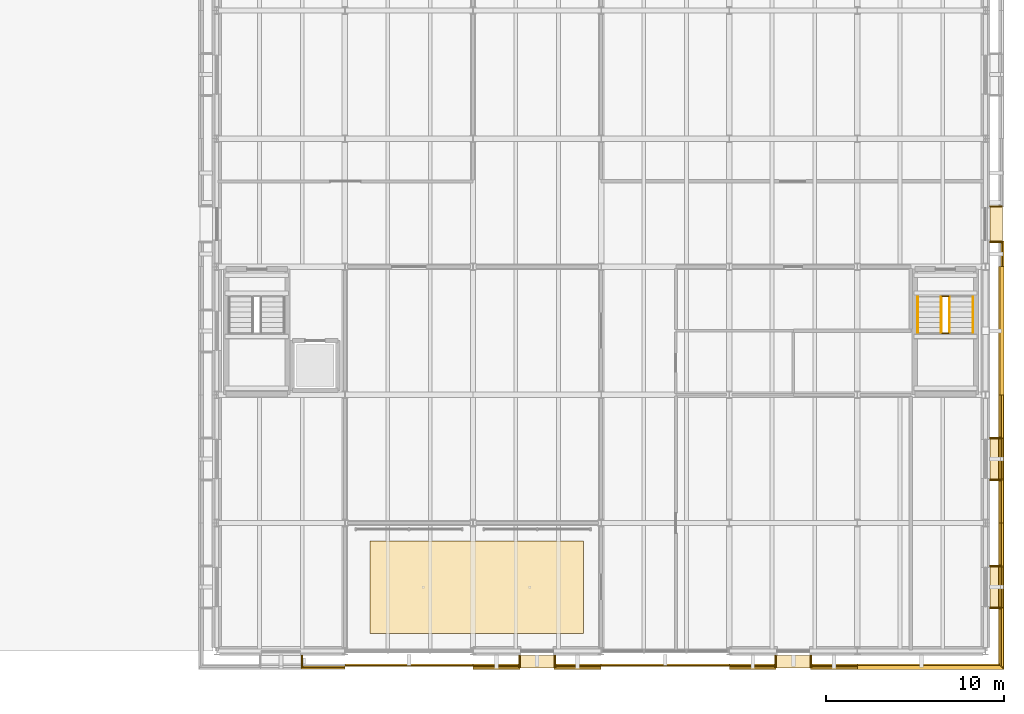
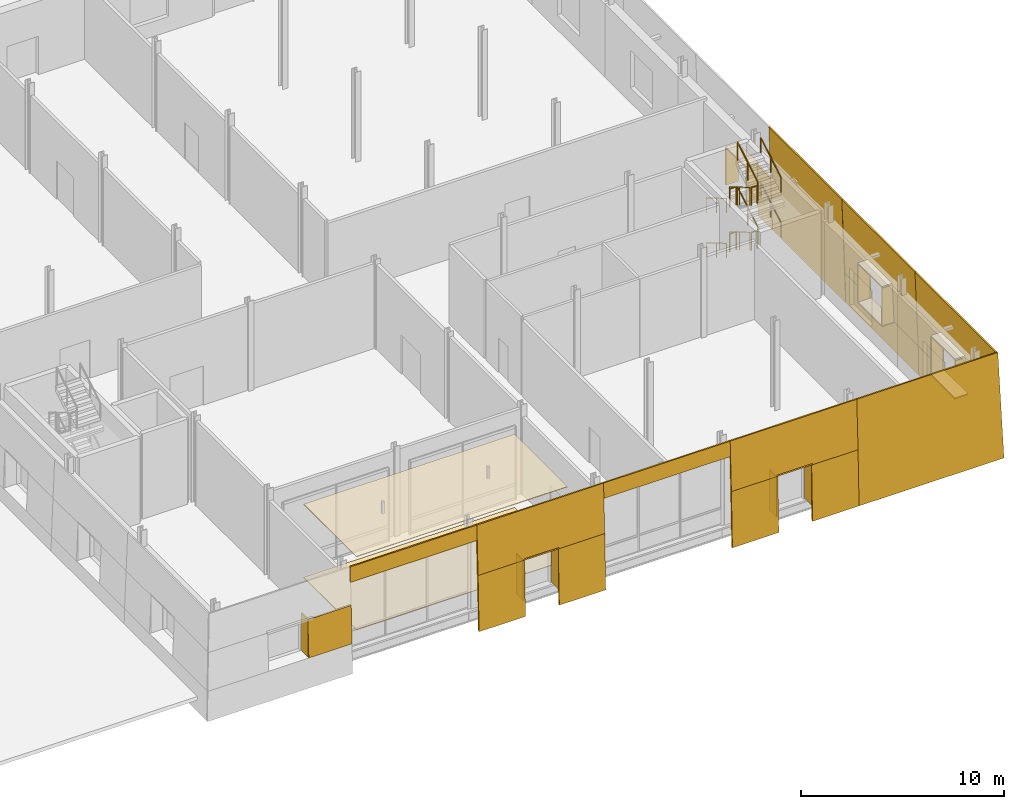
# One storey, part 116 of 120: 40 coverings, 12 railings.
"""IFC4 building model written with IfcOpenShell, lengths in metres."""

from ifc_helpers import new_model, si_unit, direction, frame, origin, origin_2d, place, context, subcontext, project, spatial, polyline, circle, outline, extrude, material, layer, layer_set, type_object, element, save


model = new_model("IFC4")

# Units and contexts
model_context = context("Model", 3, precision=1e-05, world=origin(), true_north=direction((0.0, 1.0)))
body_context = subcontext(model_context, "Body", "Model", "MODEL_VIEW")
ifc_project = project(units=[si_unit("LENGTHUNIT", "METRE"), si_unit("AREAUNIT", "SQUARE_METRE"), si_unit("VOLUMEUNIT", "CUBIC_METRE"), si_unit("PLANEANGLEUNIT", "RADIAN"), si_unit("MASSUNIT", "GRAM", prefix="KILO")], contexts=[model_context])

# Site, building, storey
site_placement = place(None, origin())
site = spatial("IfcSite", under=ifc_project, at=site_placement, CompositionType="ELEMENT")
building_placement = place(site_placement, origin())
building = spatial("IfcBuilding", under=site, at=building_placement, Name="Narikvali Park Central Library", CompositionType="ELEMENT")
storey_placement = place(building_placement, origin())
storey = spatial("IfcBuildingStorey", under=building, at=storey_placement, Name="L00", CompositionType="ELEMENT", Elevation=0.0)

# Coverings
ifc_material_1 = material(Name="Acoustic Micro-Perforated Caucasian Oak")
ifc_layer_1 = layer(ifc_material_1, 0.044921875, Name="Acoustic Micro-Perforated Caucasian Oak")
ifc_layer_set_1 = layer_set([ifc_layer_1], Name="Acoustic Micro-Perforated Caucasian Oak")
covering_type_1 = type_object("IfcCoveringType", Name="Acoustic Perforated Timber Suspended Ceiling", PredefinedType="CEILING", material=ifc_layer_set_1)
covering_1_placement = place(storey_placement, frame((0.0, 0.0, 4.39501953125)))
element("IfcCovering", 1, at=covering_1_placement, inside=storey, type_object=covering_type_1, Name="V6 L00 Acoustic Suspended Ceiling 08", PredefinedType="CEILING", context=body_context, shape_type="SweptSolid", body=[
    extrude(outline(polyline([(131.0, 1.0), (143.0, 1.0), (143.0, 6.199951171875), (131.0, 6.199951171875), (131.0, 1.0)])), origin(), (0.0, 0.0, 1.0), 0.044921875),
])
ifc_material_2 = material(Name="White Honed Limestone Cladding", Category="masonry")
ifc_layer_2 = layer(ifc_material_2, 0.0849609375, Name="White Honed Limestone Cladding")
ifc_layer_set_2 = layer_set([ifc_layer_2], Name="White Honed Limestone Cladding")
covering_type_2 = type_object("IfcCoveringType", Name="Battered White Limestone Facade Cladding Panel", PredefinedType="CLADDING", material=ifc_layer_set_2)
covering_2_placement = place(storey_placement, frame((127.139892578125, -1.003173828125, 0.89990234375), z_axis=(0.0, -0.999164352475, 0.040872934124), x_axis=(1.0, 0.0, 0.0)))
element("IfcCovering", 2, at=covering_2_placement, inside=storey, type_object=covering_type_2, Name="V6 L00 S Battered Limestone Jamb Pier R B01", PredefinedType="CLADDING", context=body_context, shape_type="SweptSolid", body=[
    extrude(outline(polyline([(0.0, 0.0), (2.460205078125, 0.0), (2.460205078125, 2.2518817794363186), (0.0, 2.2518817794363186), (0.0, 0.0)])), origin(), (0.0, 0.0, -1.0), 0.0849609375),
])
covering_3_placement = place(storey_placement, frame((129.60009765625, -0.85595703125, 4.5), z_axis=(0.0, -0.999161955591, 0.04093148543), x_axis=(1.0, 0.0, 0.0)))
element("IfcCovering", 3, at=covering_3_placement, inside=storey, type_object=covering_type_2, Name="V6 L00 S Battered Limestone Spandrel Header B02", PredefinedType="CLADDING", context=body_context, shape_type="SweptSolid", body=[
    extrude(outline(polyline([(0.0, 0.0), (7.199951171875, 0.0), (7.199951171875, 0.9006571344258962), (0.0, 0.9006571344258962), (0.0, 0.0)])), origin(), (0.0, 0.0, -1.0), 0.0849609375),
])
for number, where, z_axis, x_axis, name in (
    (4, (136.800048828125, -1.0400390625, -0.8798828125), (0.0, -0.999547965071, 0.030064356355), (1.0, 0.0, 0.0), "V6 L00 S Battered Portal Pier L B03"),
    (5, (141.360107421875, -1.0400390625, -0.8798828125), (0.0, -0.999547965071, 0.030064356355), (1.0, 0.0, 0.0), "V6 L00 S Battered Portal Pier R B03"),
):
    element("IfcCovering", number, at=place(storey_placement, frame(where, z_axis=z_axis, x_axis=x_axis)), inside=storey, type_object=covering_type_2, Name=name, PredefinedType="CLADDING", context=body_context, shape_type="SweptSolid", body=[
        extrude(outline(polyline([(0.0, 0.0), (2.639892578125, 0.0), (2.639892578125, 3.3213255739210097), (0.0, 3.3213255739210097), (0.0, 0.0)])), origin(), (0.0, 0.0, -1.0), 0.0849609375),
    ])
covering_4_placement = place(storey_placement, frame((136.800048828125, -0.940185546875, 2.43994140625), z_axis=(0.0, -0.999164210774, 0.040876397933), x_axis=(1.0, 0.0, 0.0)))
element("IfcCovering", 6, at=covering_4_placement, inside=storey, type_object=covering_type_2, Name="V6 L00 S Battered Portal Header B03", PredefinedType="CLADDING", context=body_context, shape_type="SweptSolid", body=[
    extrude(outline(polyline([(0.0, 0.0), (7.199951171875, 0.0), (7.199951171875, 2.9624369103518378), (0.0, 2.9624369103518378), (0.0, 0.0)])), origin(), (0.0, 0.0, -1.0), 0.0849609375),
])
covering_5_placement = place(storey_placement, frame((144.0, -0.85595703125, 4.5), z_axis=(0.0, -0.999161955591, 0.04093148543), x_axis=(1.0, 0.0, 0.0)))
element("IfcCovering", 7, at=covering_5_placement, inside=storey, type_object=covering_type_2, Name="V6 L00 S Battered Limestone Spandrel Header B04", PredefinedType="CLADDING", context=body_context, shape_type="SweptSolid", body=[
    extrude(outline(polyline([(0.0, 0.0), (7.199951171875, 0.0), (7.199951171875, 0.9006571344258962), (0.0, 0.9006571344258962), (0.0, 0.0)])), origin(), (0.0, 0.0, -1.0), 0.0849609375),
])
covering_6_placement = place(storey_placement, frame((151.199951171875, -1.0400390625, -0.8798828125), z_axis=(0.0, -0.999547965071, 0.030064356355), x_axis=(1.0, 0.0, 0.0)))
element("IfcCovering", 8, at=covering_6_placement, inside=storey, type_object=covering_type_2, Name="V6 L00 S Battered Portal Pier L B05", PredefinedType="CLADDING", context=body_context, shape_type="SweptSolid", body=[
    extrude(outline(polyline([(0.0, 0.0), (2.64013671875, 0.0), (2.64013671875, 3.3213255739210092), (0.0, 3.3213255739210092), (0.0, 0.0)])), origin(), (0.0, 0.0, -1.0), 0.0849609375),
])
covering_7_placement = place(storey_placement, frame((155.760009765625, -1.0400390625, -0.8798828125), z_axis=(0.0, -0.999547965071, 0.030064356355), x_axis=(1.0, 0.0, 0.0)))
element("IfcCovering", 9, at=covering_7_placement, inside=storey, type_object=covering_type_2, Name="V6 L00 S Battered Portal Pier R B05", PredefinedType="CLADDING", context=body_context, shape_type="SweptSolid", body=[
    extrude(outline(polyline([(0.0, 0.0), (2.639892578125, 0.0), (2.639892578125, 3.3213255739210097), (0.0, 3.3213255739210097), (0.0, 0.0)])), origin(), (0.0, 0.0, -1.0), 0.0849609375),
])
covering_8_placement = place(storey_placement, frame((151.199951171875, -0.940185546875, 2.43994140625), z_axis=(0.0, -0.999164210774, 0.040876397933), x_axis=(1.0, 0.0, 0.0)))
element("IfcCovering", 10, at=covering_8_placement, inside=storey, type_object=covering_type_2, Name="V6 L00 S Battered Portal Header B05", PredefinedType="CLADDING", context=body_context, shape_type="SweptSolid", body=[
    extrude(outline(polyline([(0.0, 0.0), (7.199951171875, 0.0), (7.199951171875, 2.9624369103518378), (0.0, 2.9624369103518378), (0.0, 0.0)])), origin(), (0.0, 0.0, -1.0), 0.0849609375),
])
covering_9_placement = place(storey_placement, frame((158.39990234375, -1.0400390625, -0.8798828125), z_axis=(0.0, -0.99938162103, 0.0351621323), x_axis=(1.0, 0.0, 0.0)))
element("IfcCovering", 11, at=covering_9_placement, inside=storey, type_object=covering_type_2, Name="V6 L00 S Battered Limestone Panel B06", PredefinedType="CLADDING", context=body_context, shape_type="SweptSolid", body=[
    extrude(outline(polyline([(0.0, 0.0), (8.239990234375, 0.0), (8.01904296875, 6.283670846157126), (0.0, 6.283670846157126), (0.0, 0.0)])), origin(), (0.0, 0.0, -1.0), 0.0849609375),
])
covering_10_placement = place(storey_placement, frame((166.639892578125, -0.955078125, -0.8798828125), z_axis=(0.999788378597, 0.0, 0.020571777337), x_axis=(0.0, 1.0, 0.0)))
element("IfcCovering", 12, at=covering_10_placement, inside=storey, type_object=covering_type_2, Name="V6 L00 E Battered Limestone Spandrel B01", PredefinedType="CLADDING", context=body_context, shape_type="SweptSolid", body=[
    extrude(outline(polyline([(0.0, 0.0), (8.155029296875, 0.0), (8.155029296875, 1.7801618766042833), (0.036865234375, 1.7801618766042833), (0.0, 0.0)])), origin(), (0.0, 0.0, -1.0), 0.0849609375),
])
covering_11_placement = place(storey_placement, frame((166.510986328125, -0.826171875, 3.14990234375), z_axis=(0.999164352475, 0.0, 0.040872934124), x_axis=(0.0, 1.0, 0.0)))
element("IfcCovering", 13, at=covering_11_placement, inside=storey, type_object=covering_type_2, Name="V6 L00 E Battered Limestone Lintel B01", PredefinedType="CLADDING", context=body_context, shape_type="SweptSolid", body=[
    extrude(outline(polyline([(0.0, 0.0), (8.026123046875, 0.0), (8.026123046875, 2.251881779436319), (0.09228515625, 2.251881779436319), (0.0, 0.0)])), origin(), (0.0, 0.0, -1.0), 0.0849609375),
])
covering_12_placement = place(storey_placement, frame((166.603271484375, -0.918212890625, 0.89990234375), z_axis=(0.999159919044, 0.0, 0.040981168555), x_axis=(0.0, 1.0, 0.0)))
element("IfcCovering", 14, at=covering_12_placement, inside=storey, type_object=covering_type_2, Name="V6 L00 E Battered Limestone Jamb Pier L B01", PredefinedType="CLADDING", context=body_context, shape_type="SweptSolid", body=[
    extrude(outline(polyline([(0.0, 0.0), (3.378173828125, 0.0), (3.378173828125, 2.2518917713922413), (0.092041015625, 2.2518917713922413), (0.0, 0.0)])), origin(), (0.0, 0.0, -1.0), 0.0849609375),
])
covering_13_placement = place(storey_placement, frame((166.603271484375, 4.739990234375, 0.89990234375), z_axis=(0.999159919044, 0.0, 0.040981168555), x_axis=(0.0, 1.0, 0.0)))
element("IfcCovering", 15, at=covering_13_placement, inside=storey, type_object=covering_type_2, Name="V6 L00 E Battered Limestone Jamb Pier R B01", PredefinedType="CLADDING", context=body_context, shape_type="SweptSolid", body=[
    extrude(outline(polyline([(0.0, 0.0), (2.4599609375, 0.0), (2.4599609375, 2.2518917713922413), (0.0, 2.2518917713922413), (0.0, 0.0)])), origin(), (0.0, 0.0, -1.0), 0.0849609375),
])
covering_14_placement = place(storey_placement, frame((166.639892578125, 7.199951171875, -0.8798828125), z_axis=(0.999788378597, 0.0, 0.020571777337), x_axis=(0.0, 1.0, 0.0)))
element("IfcCovering", 16, at=covering_14_placement, inside=storey, type_object=covering_type_2, Name="V6 L00 E Battered Limestone Spandrel B02", PredefinedType="CLADDING", context=body_context, shape_type="SweptSolid", body=[
    extrude(outline(polyline([(0.0, 0.0), (7.199951171875, 0.0), (7.199951171875, 1.7801618766042835), (0.0, 1.7801618766042835), (0.0, 0.0)])), origin(), (0.0, 0.0, -1.0), 0.0849609375),
])
covering_15_placement = place(storey_placement, frame((166.510986328125, 7.199951171875, 3.14990234375), z_axis=(0.999164352475, 0.0, 0.040872934124), x_axis=(0.0, 1.0, 0.0)))
element("IfcCovering", 17, at=covering_15_placement, inside=storey, type_object=covering_type_2, Name="V6 L00 E Battered Limestone Lintel B02", PredefinedType="CLADDING", context=body_context, shape_type="SweptSolid", body=[
    extrude(outline(polyline([(0.0, 0.0), (7.199951171875, 0.0), (7.199951171875, 2.2518817794363186), (0.0, 2.2518817794363186), (0.0, 0.0)])), origin(), (0.0, 0.0, -1.0), 0.0849609375),
])
for number, where, z_axis, x_axis, name in (
    (18, (166.603271484375, 7.199951171875, 0.89990234375), (0.999159919044, 0.0, 0.040981168555), (0.0, 1.0, 0.0), "V6 L00 E Battered Limestone Jamb Pier L B02"),
    (19, (166.603271484375, 11.93994140625, 0.89990234375), (0.999159919044, 0.0, 0.040981168555), (0.0, 1.0, 0.0), "V6 L00 E Battered Limestone Jamb Pier R B02"),
):
    element("IfcCovering", number, at=place(storey_placement, frame(where, z_axis=z_axis, x_axis=x_axis)), inside=storey, type_object=covering_type_2, Name=name, PredefinedType="CLADDING", context=body_context, shape_type="SweptSolid", body=[
        extrude(outline(polyline([(0.0, 0.0), (2.4599609375, 0.0), (2.4599609375, 2.2518917713922413), (0.0, 2.2518917713922413), (0.0, 0.0)])), origin(), (0.0, 0.0, -1.0), 0.0849609375),
    ])
covering_16_placement = place(storey_placement, frame((166.639892578125, 14.39990234375, -0.8798828125), z_axis=(0.99938162103, 0.0, 0.0351621323), x_axis=(0.0, 1.0, 0.0)))
element("IfcCovering", 20, at=covering_16_placement, inside=storey, type_object=covering_type_2, Name="V6 L00 E Battered Limestone Panel B03", PredefinedType="CLADDING", context=body_context, shape_type="SweptSolid", body=[
    extrude(outline(polyline([(0.0, 0.0), (7.2001953125, 0.0), (7.2001953125, 6.283670846157126), (0.0, 6.283670846157126), (0.0, 0.0)])), origin(), (0.0, 0.0, -1.0), 0.0849609375),
])
covering_17_placement = place(storey_placement, frame((166.639892578125, 21.60009765625, -0.8798828125), z_axis=(0.999569712805, 0.0, 0.029332392386), x_axis=(0.0, 1.0, 0.0)))
element("IfcCovering", 21, at=covering_17_placement, inside=storey, type_object=covering_type_2, Name="V6 L00 E Battered Portal Pier L B04", PredefinedType="CLADDING", context=body_context, shape_type="SweptSolid", body=[
    extrude(outline(polyline([(0.0, 0.0), (1.43994140625, 0.0), (1.43994140625, 3.1212160661813586), (0.0, 3.1212160661813586), (0.0, 0.0)])), origin(), (0.0, 0.0, -1.0), 0.0849609375),
])
ifc_layer_3 = layer(ifc_material_2, 0.080078125, Name="White Honed Limestone Cladding")
ifc_layer_set_3 = layer_set([ifc_layer_3], Name="White Honed Limestone Cladding")
covering_type_3 = type_object("IfcCoveringType", Name="Deep Carved White Limestone Window Reveal", PredefinedType="CLADDING", material=ifc_layer_set_3)
covering_18_placement = place(storey_placement, frame((0.0, 0.0, 0.89990234375)))
element("IfcCovering", 22, at=covering_18_placement, inside=storey, type_object=covering_type_3, Name="Deep Stone Reveal Jamb R V6-RVL-L00-S-B01", PredefinedType="CLADDING", context=body_context, shape_type="SweptSolid", body=[
    extrude(outline(polyline([(127.139892578125, -0.2451171875), (127.219970703125, -0.2451171875), (127.219970703125, -0.9111328125), (127.139892578125, -0.9111328125), (127.139892578125, -0.2451171875)])), origin(), (0.0, 0.0, 1.0), 2.25),
])
covering_19_placement = place(storey_placement, frame((0.0, 0.0, 2.43994140625)))
element("IfcCovering", 23, at=covering_19_placement, inside=storey, type_object=covering_type_3, Name="Deep Stone Reveal Head V6-RVL-L00-S-B03", PredefinedType="CLADDING", context=body_context, shape_type="SweptSolid", body=[
    extrude(outline(polyline([(139.39990234375, -0.2451171875), (141.39990234375, -0.2451171875), (141.39990234375, -0.940185546875), (139.39990234375, -0.940185546875), (139.39990234375, -0.2451171875)])), origin(), (0.0, 0.0, 1.0), 0.080078125),
])
covering_20_placement = place(storey_placement, frame((0.0, 0.0, 0.02001953125)))
element("IfcCovering", 24, at=covering_20_placement, inside=storey, type_object=covering_type_3, Name="Deep Stone Reveal Jamb L V6-RVL-L00-S-B03", PredefinedType="CLADDING", context=body_context, shape_type="SweptSolid", body=[
    extrude(outline(polyline([(139.360107421875, -0.2451171875), (139.43994140625, -0.2451171875), (139.43994140625, -0.940185546875), (139.360107421875, -0.940185546875), (139.360107421875, -0.2451171875)])), origin(), (0.0, 0.0, 1.0), 2.419921875),
])
covering_21_placement = place(storey_placement, frame((0.0, 0.0, 0.02001953125)))
element("IfcCovering", 25, at=covering_21_placement, inside=storey, type_object=covering_type_3, Name="Deep Stone Reveal Jamb R V6-RVL-L00-S-B03", PredefinedType="CLADDING", context=body_context, shape_type="SweptSolid", body=[
    extrude(outline(polyline([(141.360107421875, -0.2451171875), (141.43994140625, -0.2451171875), (141.43994140625, -0.940185546875), (141.360107421875, -0.940185546875), (141.360107421875, -0.2451171875)])), origin(), (0.0, 0.0, 1.0), 2.419921875),
])
covering_22_placement = place(storey_placement, frame((0.0, 0.0, 2.43994140625)))
element("IfcCovering", 26, at=covering_22_placement, inside=storey, type_object=covering_type_3, Name="Deep Stone Reveal Head V6-RVL-L00-S-B05", PredefinedType="CLADDING", context=body_context, shape_type="SweptSolid", body=[
    extrude(outline(polyline([(153.800048828125, -0.2451171875), (155.800048828125, -0.2451171875), (155.800048828125, -0.940185546875), (153.800048828125, -0.940185546875), (153.800048828125, -0.2451171875)])), origin(), (0.0, 0.0, 1.0), 0.080078125),
])
covering_23_placement = place(storey_placement, frame((0.0, 0.0, 0.02001953125)))
element("IfcCovering", 27, at=covering_23_placement, inside=storey, type_object=covering_type_3, Name="Deep Stone Reveal Jamb L V6-RVL-L00-S-B05", PredefinedType="CLADDING", context=body_context, shape_type="SweptSolid", body=[
    extrude(outline(polyline([(153.760009765625, -0.2451171875), (153.840087890625, -0.2451171875), (153.840087890625, -0.940185546875), (153.760009765625, -0.940185546875), (153.760009765625, -0.2451171875)])), origin(), (0.0, 0.0, 1.0), 2.419921875),
])
covering_24_placement = place(storey_placement, frame((0.0, 0.0, 0.02001953125)))
element("IfcCovering", 28, at=covering_24_placement, inside=storey, type_object=covering_type_3, Name="Deep Stone Reveal Jamb R V6-RVL-L00-S-B05", PredefinedType="CLADDING", context=body_context, shape_type="SweptSolid", body=[
    extrude(outline(polyline([(155.760009765625, -0.2451171875), (155.840087890625, -0.2451171875), (155.840087890625, -0.940185546875), (155.760009765625, -0.940185546875), (155.760009765625, -0.2451171875)])), origin(), (0.0, 0.0, 1.0), 2.419921875),
])
covering_25_placement = place(storey_placement, frame((0.0, 0.0, 3.14990234375)))
element("IfcCovering", 29, at=covering_25_placement, inside=storey, type_object=covering_type_3, Name="Deep Stone Reveal Head V6-RVL-L00-E-B01", PredefinedType="CLADDING", context=body_context, shape_type="SweptSolid", body=[
    extrude(outline(polyline([(165.844970703125, 2.419921875), (165.844970703125, 4.780029296875), (166.510986328125, 4.780029296875), (166.510986328125, 2.419921875), (165.844970703125, 2.419921875)])), origin(), (0.0, 0.0, 1.0), 0.080078125),
])
covering_26_placement = place(storey_placement, frame((0.0, 0.0, 0.820068359375)))
element("IfcCovering", 30, at=covering_26_placement, inside=storey, type_object=covering_type_3, Name="Deep Stone Reveal Sill V6-RVL-L00-E-B01", PredefinedType="CLADDING", context=body_context, shape_type="SweptSolid", body=[
    extrude(outline(polyline([(165.844970703125, 2.419921875), (165.844970703125, 4.780029296875), (166.603271484375, 4.780029296875), (166.603271484375, 2.419921875), (165.844970703125, 2.419921875)])), origin(), (0.0, 0.0, 1.0), 0.079833984375),
])
covering_27_placement = place(storey_placement, frame((0.0, 0.0, 0.89990234375)))
element("IfcCovering", 31, at=covering_27_placement, inside=storey, type_object=covering_type_3, Name="Deep Stone Reveal Jamb L V6-RVL-L00-E-B01", PredefinedType="CLADDING", context=body_context, shape_type="SweptSolid", body=[
    extrude(outline(polyline([(165.844970703125, 2.3798828125), (165.844970703125, 2.4599609375), (166.510986328125, 2.4599609375), (166.510986328125, 2.3798828125), (165.844970703125, 2.3798828125)])), origin(), (0.0, 0.0, 1.0), 2.25),
])
covering_28_placement = place(storey_placement, frame((0.0, 0.0, 0.89990234375)))
element("IfcCovering", 32, at=covering_28_placement, inside=storey, type_object=covering_type_3, Name="Deep Stone Reveal Jamb R V6-RVL-L00-E-B01", PredefinedType="CLADDING", context=body_context, shape_type="SweptSolid", body=[
    extrude(outline(polyline([(165.844970703125, 4.739990234375), (165.844970703125, 4.820068359375), (166.510986328125, 4.820068359375), (166.510986328125, 4.739990234375), (165.844970703125, 4.739990234375)])), origin(), (0.0, 0.0, 1.0), 2.25),
])
covering_29_placement = place(storey_placement, frame((0.0, 0.0, 3.14990234375)))
element("IfcCovering", 33, at=covering_29_placement, inside=storey, type_object=covering_type_3, Name="Deep Stone Reveal Head V6-RVL-L00-E-B02", PredefinedType="CLADDING", context=body_context, shape_type="SweptSolid", body=[
    extrude(outline(polyline([(165.844970703125, 9.6201171875), (165.844970703125, 11.97998046875), (166.510986328125, 11.97998046875), (166.510986328125, 9.6201171875), (165.844970703125, 9.6201171875)])), origin(), (0.0, 0.0, 1.0), 0.080078125),
])
covering_30_placement = place(storey_placement, frame((0.0, 0.0, 0.820068359375)))
element("IfcCovering", 34, at=covering_30_placement, inside=storey, type_object=covering_type_3, Name="Deep Stone Reveal Sill V6-RVL-L00-E-B02", PredefinedType="CLADDING", context=body_context, shape_type="SweptSolid", body=[
    extrude(outline(polyline([(165.844970703125, 9.6201171875), (165.844970703125, 11.97998046875), (166.603271484375, 11.97998046875), (166.603271484375, 9.6201171875), (165.844970703125, 9.6201171875)])), origin(), (0.0, 0.0, 1.0), 0.079833984375),
])
covering_31_placement = place(storey_placement, frame((0.0, 0.0, 0.89990234375)))
element("IfcCovering", 35, at=covering_31_placement, inside=storey, type_object=covering_type_3, Name="Deep Stone Reveal Jamb L V6-RVL-L00-E-B02", PredefinedType="CLADDING", context=body_context, shape_type="SweptSolid", body=[
    extrude(outline(polyline([(165.844970703125, 9.580078125), (165.844970703125, 9.659912109375), (166.510986328125, 9.659912109375), (166.510986328125, 9.580078125), (165.844970703125, 9.580078125)])), origin(), (0.0, 0.0, 1.0), 2.25),
])
covering_32_placement = place(storey_placement, frame((0.0, 0.0, 0.89990234375)))
element("IfcCovering", 36, at=covering_32_placement, inside=storey, type_object=covering_type_3, Name="Deep Stone Reveal Jamb R V6-RVL-L00-E-B02", PredefinedType="CLADDING", context=body_context, shape_type="SweptSolid", body=[
    extrude(outline(polyline([(165.844970703125, 11.93994140625), (165.844970703125, 12.02001953125), (166.510986328125, 12.02001953125), (166.510986328125, 11.93994140625), (165.844970703125, 11.93994140625)])), origin(), (0.0, 0.0, 1.0), 2.25),
])
covering_33_placement = place(storey_placement, frame((0.0, 0.0, 2.239990234375)))
element("IfcCovering", 37, at=covering_33_placement, inside=storey, type_object=covering_type_3, Name="Deep Stone Reveal Head V6-RVL-L00-E-B04", PredefinedType="CLADDING", context=body_context, shape_type="SweptSolid", body=[
    extrude(outline(polyline([(165.844970703125, 23.0), (165.844970703125, 25.0), (166.54833984375, 25.0), (166.54833984375, 23.0), (165.844970703125, 23.0)])), origin(), (0.0, 0.0, 1.0), 0.080078125),
])
covering_34_placement = place(storey_placement, frame((0.0, 0.0, 0.02001953125)))
element("IfcCovering", 38, at=covering_34_placement, inside=storey, type_object=covering_type_3, Name="Deep Stone Reveal Jamb L V6-RVL-L00-E-B04", PredefinedType="CLADDING", context=body_context, shape_type="SweptSolid", body=[
    extrude(outline(polyline([(165.844970703125, 22.9599609375), (165.844970703125, 23.0400390625), (166.54833984375, 23.0400390625), (166.54833984375, 22.9599609375), (165.844970703125, 22.9599609375)])), origin(), (0.0, 0.0, 1.0), 2.219970703125),
])
covering_35_placement = place(storey_placement, frame((0.0, 0.0, 0.02001953125)))
element("IfcCovering", 39, at=covering_35_placement, inside=storey, type_object=covering_type_3, Name="Deep Stone Reveal Jamb R V6-RVL-L00-E-B04", PredefinedType="CLADDING", context=body_context, shape_type="SweptSolid", body=[
    extrude(outline(polyline([(165.844970703125, 24.9599609375), (165.844970703125, 25.0400390625), (166.54833984375, 25.0400390625), (166.54833984375, 24.9599609375), (165.844970703125, 24.9599609375)])), origin(), (0.0, 0.0, 1.0), 2.219970703125),
])
ifc_material_3 = material(Name="Polished Georgian Basalt Terrazzo", Category="masonry")
ifc_layer_4 = layer(ifc_material_3, 0.0400390625, Name="Polished Georgian Basalt Terrazzo")
ifc_layer_set_4 = layer_set([ifc_layer_4], Name="Polished Georgian Basalt Terrazzo")
covering_type_4 = type_object("IfcCoveringType", Name="Polished Basalt Terrazzo Floor Finish", PredefinedType="FLOORING", material=ifc_layer_set_4)
covering_36_placement = place(storey_placement, origin())
element("IfcCovering", 40, at=covering_36_placement, inside=storey, type_object=covering_type_4, Name="V6 L00 Basalt Terrazzo Flooring 08", PredefinedType="FLOORING", context=body_context, shape_type="SweptSolid", body=[
    extrude(outline(polyline([(131.0, 1.0), (143.0, 1.0), (143.0, 6.199951171875), (131.0, 6.199951171875), (131.0, 1.0)])), origin(), (0.0, 0.0, 1.0), 0.0400390625),
])

# Railings
ifc_material_4 = material(Name="Brushed Stainless Steel S355", Category="steel")
ifc_layer_5 = layer(ifc_material_4, 0.044921875, Name="Brushed Stainless Steel S355")
ifc_layer_set_5 = layer_set([ifc_layer_5], Name="Brushed Stainless Steel S355")
railing_type_1 = type_object("IfcRailingType", Name="Stair Tubular Steel Handrail 900", PredefinedType="HANDRAIL", material=ifc_layer_set_5)
railing_1_placement = place(storey_placement, frame((161.800048828125, 19.89990234375, 0.168701171875)))
element("IfcRailing", 41, at=railing_1_placement, inside=storey, type_object=railing_type_1, Name="L00 ST-12 stair handrail 1", PredefinedType="HANDRAIL", context=body_context, shape_type="SweptSolid", body=[
    extrude(circle(Radius=0.02392578125, at=origin_2d()), frame((0.0, 0.0, 0.8759765625), z_axis=(0.0, -0.860433472677, 0.509562792104), x_axis=(1.0, 0.0, 0.0)), (0.0, 0.0, 1.0), 2.318359375),
    extrude(circle(Radius=0.02099609375, at=origin_2d()), origin(), (0.0, 0.0, 1.0), 0.851806640625),
    extrude(circle(Radius=0.02099609375, at=origin_2d()), frame((0.0, -0.99755859375, 0.5908203125)), (0.0, 0.0, 1.0), 0.851806640625),
    extrude(circle(Radius=0.02099609375, at=origin_2d()), frame((0.0, -1.994873046875, 1.181396484375)), (0.0, 0.0, 1.0), 0.851806640625),
])
railing_2_placement = place(storey_placement, frame((164.89990234375, 17.905029296875, 1.518798828125)))
element("IfcRailing", 42, at=railing_2_placement, inside=storey, type_object=railing_type_1, Name="L00 ST-12 stair handrail 2", PredefinedType="HANDRAIL", context=body_context, shape_type="SweptSolid", body=[
    extrude(circle(Radius=0.02392578125, at=origin_2d()), frame((0.0, 0.0, 0.8759765625), z_axis=(0.0, 0.860479641326, 0.509484824959), x_axis=(-1.0, 0.0, 0.0)), (0.0, 0.0, 1.0), 2.318359375),
    extrude(circle(Radius=0.02099609375, at=origin_2d()), origin(), (0.0, 0.0, 1.0), 0.851806640625),
    extrude(circle(Radius=0.02099609375, at=origin_2d()), frame((0.0, 0.99755859375, 0.590576171875)), (0.0, 0.0, 1.0), 0.851806640625),
    extrude(circle(Radius=0.02099609375, at=origin_2d()), frame((0.0, 1.994873046875, 1.18115234375)), (0.0, 0.0, 1.0), 0.851806640625),
])
railing_3_placement = place(storey_placement, frame((161.800048828125, 19.89990234375, 2.86865234375)))
element("IfcRailing", 43, at=railing_3_placement, inside=storey, type_object=railing_type_1, Name="L00 ST-12 stair handrail 3", PredefinedType="HANDRAIL", context=body_context, shape_type="SweptSolid", body=[
    extrude(circle(Radius=0.02392578125, at=origin_2d()), frame((0.0, 0.0, 0.8759765625), z_axis=(0.0, -0.860433472677, 0.509562792104), x_axis=(1.0, 0.0, 0.0)), (0.0, 0.0, 1.0), 2.318359375),
    extrude(circle(Radius=0.02099609375, at=origin_2d()), origin(), (0.0, 0.0, 1.0), 0.851806640625),
    extrude(circle(Radius=0.02099609375, at=origin_2d()), frame((0.0, -0.99755859375, 0.5908203125)), (0.0, 0.0, 1.0), 0.851806640625),
    extrude(circle(Radius=0.02099609375, at=origin_2d()), frame((0.0, -1.994873046875, 1.181396484375)), (0.0, 0.0, 1.0), 0.851806640625),
])
railing_4_placement = place(storey_placement, frame((164.89990234375, 17.905029296875, 4.21875)))
element("IfcRailing", 44, at=railing_4_placement, inside=storey, type_object=railing_type_1, Name="L00 ST-12 stair handrail 4", PredefinedType="HANDRAIL", context=body_context, shape_type="SweptSolid", body=[
    extrude(circle(Radius=0.02392578125, at=origin_2d()), frame((0.0, 0.0, 0.8759765625), z_axis=(0.0, 0.860479641326, 0.509484824959), x_axis=(-1.0, 0.0, 0.0)), (0.0, 0.0, 1.0), 2.318359375),
    extrude(circle(Radius=0.02099609375, at=origin_2d()), origin(), (0.0, 0.0, 1.0), 0.851806640625),
    extrude(circle(Radius=0.02099609375, at=origin_2d()), frame((0.0, 0.99755859375, 0.590576171875)), (0.0, 0.0, 1.0), 0.851806640625),
    extrude(circle(Radius=0.02099609375, at=origin_2d()), frame((0.0, 1.994873046875, 1.18115234375)), (0.0, 0.0, 1.0), 0.851806640625),
])
ifc_material_5 = material(Name="Powder-Coated Steel S275", Category="steel")
ifc_layer_6 = layer(ifc_material_5, 0.050048828125, Name="Powder-Coated Steel S275")
ifc_layer_set_6 = layer_set([ifc_layer_6], Name="Powder-Coated Steel S275")
railing_type_2 = type_object("IfcRailingType", Name="Stair Well Steel Guardrail 1100", PredefinedType="GUARDRAIL", material=ifc_layer_set_6)
railing_5_placement = place(storey_placement, frame((163.1201171875, 19.89990234375, 0.168701171875)))
element("IfcRailing", 45, at=railing_5_placement, inside=storey, type_object=railing_type_2, Name="L00 ST-12 stair guard 1", PredefinedType="GUARDRAIL", context=body_context, shape_type="SweptSolid", body=[
    extrude(circle(Radius=0.02392578125, at=origin_2d()), frame((0.0, 0.0, 1.076171875), z_axis=(0.0, -0.860433472677, 0.509562792104), x_axis=(1.0, 0.0, 0.0)), (0.0, 0.0, 1.0), 2.318359375),
    extrude(circle(Radius=0.02099609375, at=origin_2d()), origin(), (0.0, 0.0, 1.0), 1.052001953125),
    extrude(circle(Radius=0.02099609375, at=origin_2d()), frame((0.0, -0.99755859375, 0.5908203125)), (0.0, 0.0, 1.0), 1.052001953125),
    extrude(circle(Radius=0.02099609375, at=origin_2d()), frame((0.0, -1.994873046875, 1.181396484375)), (0.0, 0.0, 1.0), 1.052001953125),
])
railing_6_placement = place(storey_placement, frame((163.169921875, 17.85498046875, 1.35009765625)))
element("IfcRailing", 46, at=railing_6_placement, inside=storey, type_object=railing_type_2, Name="L00 ST-12 stair guard 2", PredefinedType="GUARDRAIL", context=body_context, shape_type="SweptSolid", body=[
    extrude(circle(Radius=0.02392578125, at=origin_2d()), frame((0.0, 0.0, 1.076171875), z_axis=(1.0, 0.0, 0.0), x_axis=(0.0, 1.0, 0.0)), (0.0, 0.0, 1.0), 0.360107421875),
    extrude(circle(Radius=0.02099609375, at=origin_2d()), origin(), (0.0, 0.0, 1.0), 1.052001953125),
    extrude(circle(Radius=0.02099609375, at=origin_2d()), frame((0.360107421875, 0.0, 0.0)), (0.0, 0.0, 1.0), 1.052001953125),
])
railing_7_placement = place(storey_placement, frame((163.580078125, 17.905029296875, 1.518798828125)))
element("IfcRailing", 47, at=railing_7_placement, inside=storey, type_object=railing_type_2, Name="L00 ST-12 stair guard 3", PredefinedType="GUARDRAIL", context=body_context, shape_type="SweptSolid", body=[
    extrude(circle(Radius=0.02392578125, at=origin_2d()), frame((0.0, 0.0, 1.076171875), z_axis=(0.0, 0.860479641326, 0.509484824959), x_axis=(-1.0, 0.0, 0.0)), (0.0, 0.0, 1.0), 2.318359375),
    extrude(circle(Radius=0.02099609375, at=origin_2d()), origin(), (0.0, 0.0, 1.0), 1.052001953125),
    extrude(circle(Radius=0.02099609375, at=origin_2d()), frame((0.0, 0.99755859375, 0.590576171875)), (0.0, 0.0, 1.0), 1.052001953125),
    extrude(circle(Radius=0.02099609375, at=origin_2d()), frame((0.0, 1.994873046875, 1.18115234375)), (0.0, 0.0, 1.0), 1.052001953125),
])
railing_8_placement = place(storey_placement, frame((163.169921875, 19.949951171875, 2.699951171875)))
element("IfcRailing", 48, at=railing_8_placement, inside=storey, type_object=railing_type_2, Name="L00 ST-12 stair guard 4", PredefinedType="GUARDRAIL", context=body_context, shape_type="SweptSolid", body=[
    extrude(circle(Radius=0.02392578125, at=origin_2d()), frame((0.0, 0.0, 1.076171875), z_axis=(1.0, 0.0, 0.0), x_axis=(0.0, 1.0, 0.0)), (0.0, 0.0, 1.0), 0.360107421875),
    extrude(circle(Radius=0.02099609375, at=origin_2d()), origin(), (0.0, 0.0, 1.0), 1.052001953125),
    extrude(circle(Radius=0.02099609375, at=origin_2d()), frame((0.360107421875, 0.0, 0.0)), (0.0, 0.0, 1.0), 1.052001953125),
])
railing_9_placement = place(storey_placement, frame((163.1201171875, 19.89990234375, 2.86865234375)))
element("IfcRailing", 49, at=railing_9_placement, inside=storey, type_object=railing_type_2, Name="L00 ST-12 stair guard 5", PredefinedType="GUARDRAIL", context=body_context, shape_type="SweptSolid", body=[
    extrude(circle(Radius=0.02392578125, at=origin_2d()), frame((0.0, 0.0, 1.076171875), z_axis=(0.0, -0.860433472677, 0.509562792104), x_axis=(1.0, 0.0, 0.0)), (0.0, 0.0, 1.0), 2.318359375),
    extrude(circle(Radius=0.02099609375, at=origin_2d()), origin(), (0.0, 0.0, 1.0), 1.052001953125),
    extrude(circle(Radius=0.02099609375, at=origin_2d()), frame((0.0, -0.99755859375, 0.5908203125)), (0.0, 0.0, 1.0), 1.052001953125),
    extrude(circle(Radius=0.02099609375, at=origin_2d()), frame((0.0, -1.994873046875, 1.181396484375)), (0.0, 0.0, 1.0), 1.052001953125),
])
railing_10_placement = place(storey_placement, frame((163.169921875, 17.85498046875, 4.050048828125)))
element("IfcRailing", 50, at=railing_10_placement, inside=storey, type_object=railing_type_2, Name="L00 ST-12 stair guard 6", PredefinedType="GUARDRAIL", context=body_context, shape_type="SweptSolid", body=[
    extrude(circle(Radius=0.02392578125, at=origin_2d()), frame((0.0, 0.0, 1.076171875), z_axis=(1.0, 0.0, 0.0), x_axis=(0.0, 1.0, 0.0)), (0.0, 0.0, 1.0), 0.360107421875),
    extrude(circle(Radius=0.02099609375, at=origin_2d()), origin(), (0.0, 0.0, 1.0), 1.052001953125),
    extrude(circle(Radius=0.02099609375, at=origin_2d()), frame((0.360107421875, 0.0, 0.0)), (0.0, 0.0, 1.0), 1.052001953125),
])
railing_11_placement = place(storey_placement, frame((163.580078125, 17.905029296875, 4.21875)))
element("IfcRailing", 51, at=railing_11_placement, inside=storey, type_object=railing_type_2, Name="L00 ST-12 stair guard 7", PredefinedType="GUARDRAIL", context=body_context, shape_type="SweptSolid", body=[
    extrude(circle(Radius=0.02392578125, at=origin_2d()), frame((0.0, 0.0, 1.076171875), z_axis=(0.0, 0.860479641326, 0.509484824959), x_axis=(-1.0, 0.0, 0.0)), (0.0, 0.0, 1.0), 2.318359375),
    extrude(circle(Radius=0.02099609375, at=origin_2d()), origin(), (0.0, 0.0, 1.0), 1.052001953125),
    extrude(circle(Radius=0.02099609375, at=origin_2d()), frame((0.0, 0.99755859375, 0.590576171875)), (0.0, 0.0, 1.0), 1.052001953125),
    extrude(circle(Radius=0.02099609375, at=origin_2d()), frame((0.0, 1.994873046875, 1.18115234375)), (0.0, 0.0, 1.0), 1.052001953125),
])
railing_12_placement = place(storey_placement, frame((163.169921875, 19.949951171875, 0.0)))
element("IfcRailing", 52, at=railing_12_placement, inside=storey, type_object=railing_type_2, Name="L00 ST-12 stair guard 8", PredefinedType="GUARDRAIL", context=body_context, shape_type="SweptSolid", body=[
    extrude(circle(Radius=0.02392578125, at=origin_2d()), frame((0.0, 0.0, 1.076171875), z_axis=(1.0, 0.0, 0.0), x_axis=(0.0, 1.0, 0.0)), (0.0, 0.0, 1.0), 0.360107421875),
    extrude(circle(Radius=0.02099609375, at=origin_2d()), origin(), (0.0, 0.0, 1.0), 1.052001953125),
    extrude(circle(Radius=0.02099609375, at=origin_2d()), frame((0.360107421875, 0.0, 0.0)), (0.0, 0.0, 1.0), 1.052001953125),
])

save(model, "model.ifc")
